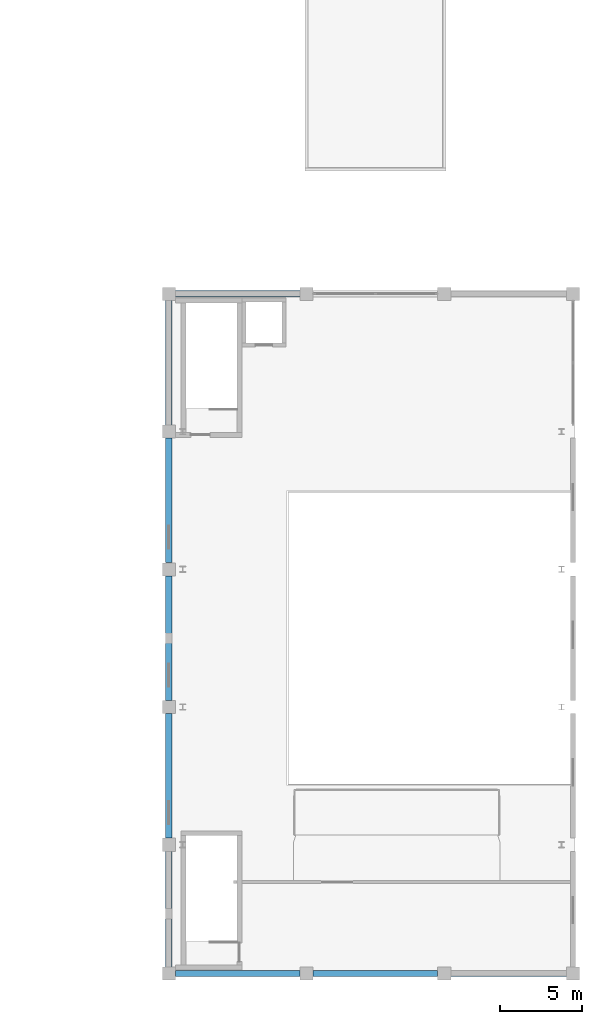
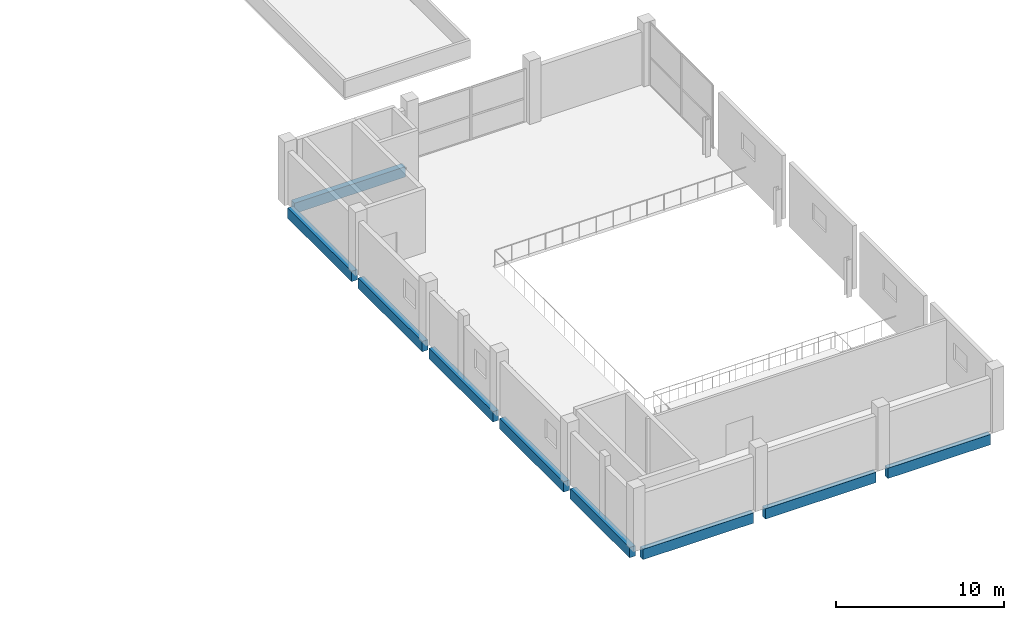
# One storey, part 15 of 31: 9 beams.
"""IFC4 building model written with IfcOpenShell, lengths in metres."""

from ifc_helpers import new_model, si_unit, direction, frame, origin, origin_2d, place, context, subcontext, project, spatial, rectangle, extrude, material, material_profile, profile_set, type_object, element, save


model = new_model("IFC4")

# Units and contexts
model_context = context("Model", 3, precision=1e-05, world=origin(), true_north=direction((0.0, 1.0)))
body_context = subcontext(model_context, "Body", "Model", "MODEL_VIEW")
ifc_project = project(units=[si_unit("LENGTHUNIT", "METRE"), si_unit("AREAUNIT", "SQUARE_METRE"), si_unit("VOLUMEUNIT", "CUBIC_METRE"), si_unit("PLANEANGLEUNIT", "RADIAN"), si_unit("MASSUNIT", "GRAM", prefix="KILO")], contexts=[model_context])

# Site, building, storey
site_placement = place(None, origin())
site = spatial("IfcSite", under=ifc_project, at=site_placement, CompositionType="ELEMENT")
building_placement = place(site_placement, origin())
building = spatial("IfcBuilding", under=site, at=building_placement, Name="Brinegate Botanical Conservatory", CompositionType="ELEMENT")
storey_placement = place(building_placement, frame((0.0, 0.0, 5.39990234375)))
storey = spatial("IfcBuildingStorey", under=building, at=storey_placement, Name="L02", CompositionType="ELEMENT", Elevation=5.39990234375)

# Beams
ifc_material_1 = material(Name="Concrete C50/60", Category="concrete")
ifc_material_profile_1 = material_profile(ifc_material_1, rectangle(XDim=0.39990234375, YDim=0.75, at=origin_2d()), Name="RC BM 400x750")
ifc_profile_set_1 = profile_set([ifc_material_profile_1], Name="Concrete C50/60")
beam_type_1 = type_object("IfcBeamType", Name="Beam_BM-T1", PredefinedType="BEAM", material=ifc_profile_set_1)
beam_1_placement = place(storey_placement, frame((139.199951171875, 42.0, -0.594970703125), z_axis=(1.0, 0.0, 0.0), x_axis=(0.0, 1.0, 0.0)))
element("IfcBeam", 1, at=beam_1_placement, inside=storey, type_object=beam_type_1, Name="Beam BM-T1 L02 F:18-19", PredefinedType="BEAM", context=body_context, shape_type="SweptSolid", body=[
    extrude(rectangle(XDim=0.39990234375, YDim=0.75, at=origin_2d()), origin(), (0.0, 0.0, 1.0), 7.60009765625),
])
beam_2_placement = place(storey_placement, frame((138.800048828125, 0.949951171875, -0.594970703125), z_axis=(0.0, 1.0, 0.0), x_axis=(-1.0, 0.0, 0.0)))
element("IfcBeam", 2, at=beam_2_placement, inside=storey, type_object=beam_type_1, Name="Beam BM-T1 L02 18:A-B", PredefinedType="BEAM", context=body_context, shape_type="SweptSolid", body=[
    extrude(rectangle(XDim=0.39990234375, YDim=0.75, at=origin_2d()), origin(), (0.0, 0.0, 1.0), 7.050048828125),
])
beam_3_placement = place(storey_placement, frame((138.800048828125, 8.800048828125, -0.594970703125), z_axis=(0.0, 1.0, 0.0), x_axis=(-1.0, 0.0, 0.0)))
element("IfcBeam", 3, at=beam_3_placement, inside=storey, type_object=beam_type_1, Name="Beam BM-T1 L02 18:B-C", PredefinedType="BEAM", context=body_context, shape_type="SweptSolid", body=[
    extrude(rectangle(XDim=0.39990234375, YDim=0.75, at=origin_2d()), origin(), (0.0, 0.0, 1.0), 7.599853515625),
])
beam_4_placement = place(storey_placement, frame((138.800048828125, 17.199951171875, -0.594970703125), z_axis=(0.0, 1.0, 0.0), x_axis=(-1.0, 0.0, 0.0)))
element("IfcBeam", 4, at=beam_4_placement, inside=storey, type_object=beam_type_1, Name="Beam BM-T1 L02 18:C-D", PredefinedType="BEAM", context=body_context, shape_type="SweptSolid", body=[
    extrude(rectangle(XDim=0.39990234375, YDim=0.75, at=origin_2d()), origin(), (0.0, 0.0, 1.0), 7.60009765625),
])
beam_5_placement = place(storey_placement, frame((138.800048828125, 25.60009765625, -0.594970703125), z_axis=(0.0, 1.0, 0.0), x_axis=(-1.0, 0.0, 0.0)))
element("IfcBeam", 5, at=beam_5_placement, inside=storey, type_object=beam_type_1, Name="Beam BM-T1 L02 18:D-E", PredefinedType="BEAM", context=body_context, shape_type="SweptSolid", body=[
    extrude(rectangle(XDim=0.39990234375, YDim=0.75, at=origin_2d()), origin(), (0.0, 0.0, 1.0), 7.599853515625),
])
beam_6_placement = place(storey_placement, frame((138.800048828125, 34.0, -0.594970703125), z_axis=(0.0, 1.0, 0.0), x_axis=(-1.0, 0.0, 0.0)))
element("IfcBeam", 6, at=beam_6_placement, inside=storey, type_object=beam_type_1, Name="Beam BM-T1 L02 18:E-F", PredefinedType="BEAM", context=body_context, shape_type="SweptSolid", body=[
    extrude(rectangle(XDim=0.39990234375, YDim=0.75, at=origin_2d()), origin(), (0.0, 0.0, 1.0), 7.60009765625),
])
ifc_material_2 = material(Name="Concrete C40/50", Category="concrete")
ifc_material_profile_2 = material_profile(ifc_material_2, rectangle(XDim=0.35009765625, YDim=0.75, at=origin_2d()), Name="RC SPN 350x750")
ifc_profile_set_2 = profile_set([ifc_material_profile_2], Name="Concrete C40/50")
beam_type_2 = type_object("IfcBeamType", Name="Beam_SP-01", PredefinedType="SPANDREL", material=ifc_profile_set_2)
beam_7_placement = place(storey_placement, frame((139.199951171875, 0.550048828125, -0.594970703125), z_axis=(1.0, 0.0, 0.0), x_axis=(0.0, 1.0, 0.0)))
element("IfcBeam", 7, at=beam_7_placement, inside=storey, type_object=beam_type_2, Name="Beam SP-01 L02 A:18-19", PredefinedType="SPANDREL", context=body_context, shape_type="SweptSolid", body=[
    extrude(rectangle(XDim=0.35009765625, YDim=0.75, at=origin_2d()), origin(), (0.0, 0.0, 1.0), 7.60009765625),
])
beam_8_placement = place(storey_placement, frame((147.60009765625, 0.550048828125, -0.594970703125), z_axis=(1.0, 0.0, 0.0), x_axis=(0.0, 1.0, 0.0)))
element("IfcBeam", 8, at=beam_8_placement, inside=storey, type_object=beam_type_2, Name="Beam SP-01 L02 A:19-20", PredefinedType="SPANDREL", context=body_context, shape_type="SweptSolid", body=[
    extrude(rectangle(XDim=0.35009765625, YDim=0.75, at=origin_2d()), origin(), (0.0, 0.0, 1.0), 7.599853515625),
])
beam_9_placement = place(storey_placement, frame((156.0, 0.550048828125, -0.594970703125), z_axis=(1.0, 0.0, 0.0), x_axis=(0.0, 1.0, 0.0)))
element("IfcBeam", 9, at=beam_9_placement, inside=storey, type_object=beam_type_2, Name="Beam SP-01 L02 A:20-21", PredefinedType="SPANDREL", context=body_context, shape_type="SweptSolid", body=[
    extrude(rectangle(XDim=0.35009765625, YDim=0.75, at=origin_2d()), origin(), (0.0, 0.0, 1.0), 7.050048828125),
])

save(model, "model.ifc")
